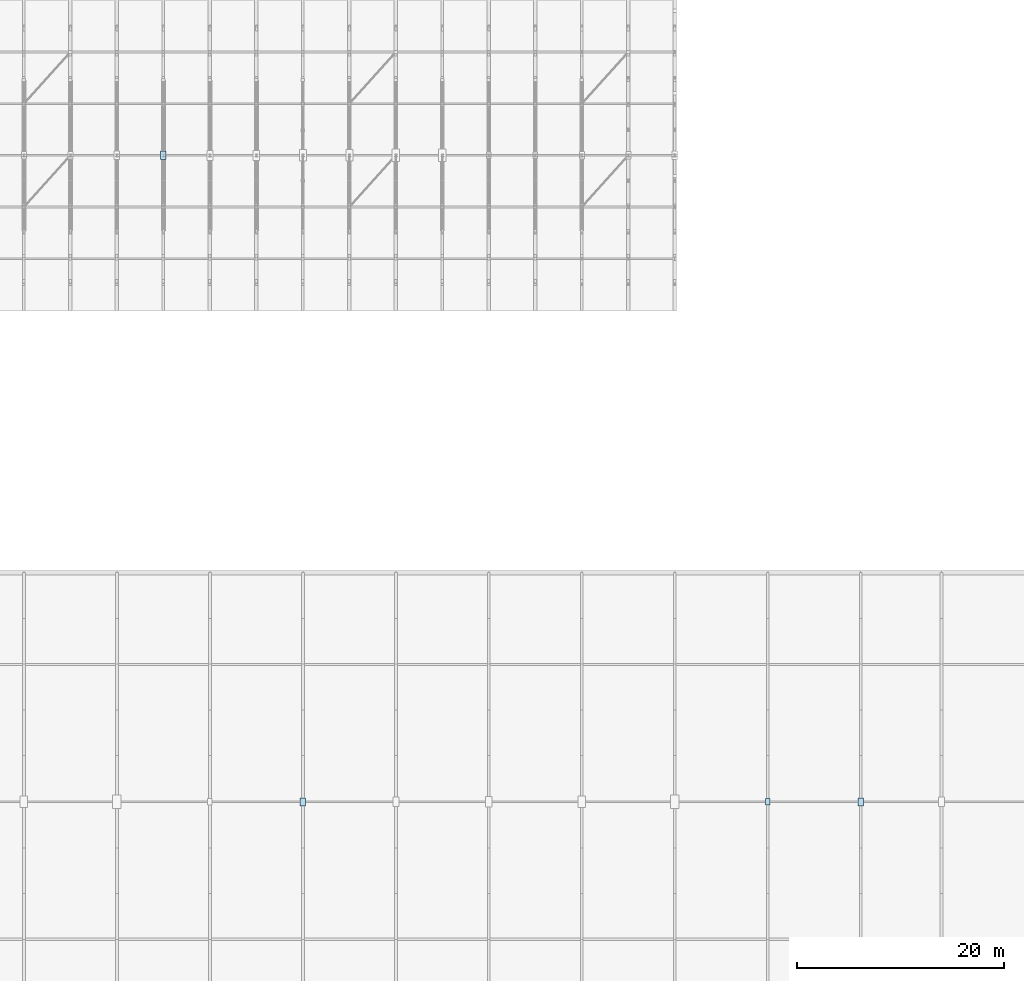
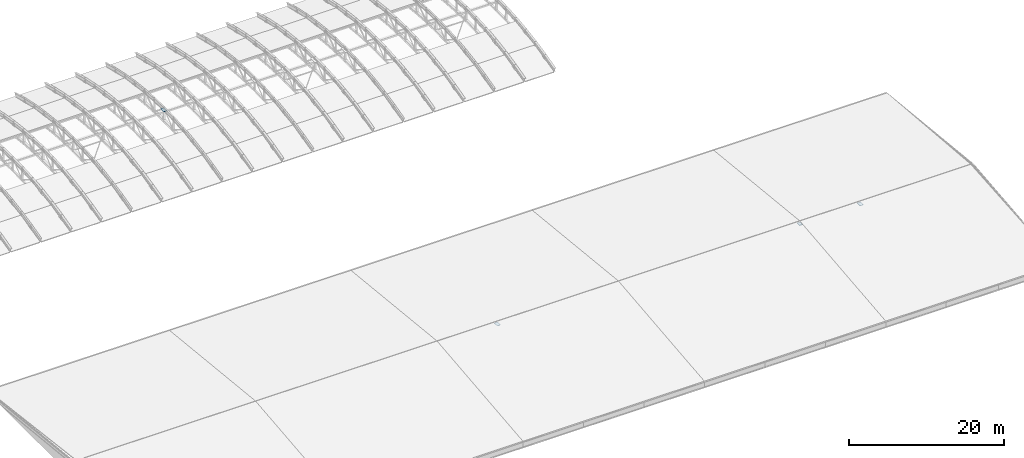
# One storey, part 38 of 53: 4 plates.
"""IFC4 building model written with IfcOpenShell, lengths in metres."""

import ifcopenshell
import ifcopenshell.guid

model = None  # the IFC model being written
_history = None  # IfcOwnerHistory: only IFC2X3 demands one
_inside = {}  # id of a spatial element -> (the spatial element, [elements in it])
_under = {}  # id of a project, library or spatial element -> (it, [spatial elements below it])
_declared = {}  # id of a project -> (the project, [libraries it declares])
_typed = {}  # id of a type object -> (the type object, [elements of that type])
_made_of = {}  # id of a material, layer set ... -> (it, [elements and type objects made of it])


def new_model(schema):
    """Start an empty IFC model of exactly this schema.

    Asked for "IFC4X3", IfcOpenShell would pick the latest addendum, in which some entities
    have other attributes; the version numbers below select the first issue.
    IFC2X3 requires an IfcOwnerHistory on every rooted entity: one is made here for all.
    """
    global model, _history
    if schema == "IFC4X3":
        model = ifcopenshell.file(schema_version=(4, 3, 0, 0))
    else:
        model = ifcopenshell.file(schema=schema)
    _inside.clear()
    _under.clear()
    _declared.clear()
    _typed.clear()
    _made_of.clear()
    _history = None
    if model.schema == "IFC2X3":
        org = make("IfcOrganization", Name="unknown")
        user = make(
            "IfcPersonAndOrganization",
            ThePerson=make("IfcPerson", FamilyName="unknown"),
            TheOrganization=org,
        )
        app = make(
            "IfcApplication",
            ApplicationDeveloper=org,
            Version="unknown",
            ApplicationFullName="unknown",
            ApplicationIdentifier="unknown",
        )
        _history = make(
            "IfcOwnerHistory",
            OwningUser=user,
            OwningApplication=app,
            ChangeAction="ADDED",
            CreationDate=0,
        )
    return model


def make(cls, **values):
    """One entity of the class cls with the attributes given. An attribute that is None is left unset."""
    return model.create_entity(
        cls, **{name: value for name, value in values.items() if value is not None}
    )


def rooted(cls, **values):
    """An entity with a GlobalId (a new one), such as an element, a storey or a relation."""
    return make(cls, GlobalId=ifcopenshell.guid.new(), OwnerHistory=_history, **values)


def si_unit(unit_type, name, prefix=None):
    """IfcSIUnit, for example si_unit("LENGTHUNIT", "METRE", prefix="MILLI")."""
    return make("IfcSIUnit", UnitType=unit_type, Prefix=prefix, Name=name)


def assignment(units):
    """IfcUnitAssignment: the units of a project."""
    return None if units is None else make("IfcUnitAssignment", Units=units)


def point(xyz):
    """IfcCartesianPoint."""
    return None if xyz is None else make("IfcCartesianPoint", Coordinates=xyz)


def direction(xyz):
    """IfcDirection."""
    return None if xyz is None else make("IfcDirection", DirectionRatios=xyz)


def frame(location, z_axis=None, x_axis=None):
    """IfcAxis2Placement3D, a coordinate frame: its origin and axes. An axis left out is left unset."""
    return make(
        "IfcAxis2Placement3D",
        Location=point(location),
        Axis=direction(z_axis),
        RefDirection=direction(x_axis),
    )


def frame_2d(location, x_axis=None):
    """IfcAxis2Placement2D, a coordinate frame in the plane: its origin and x axis."""
    return make(
        "IfcAxis2Placement2D", Location=point(location), RefDirection=direction(x_axis)
    )


def origin():
    """The frame at (0, 0, 0) with its axes left unset."""
    return frame((0.0, 0.0, 0.0))


def origin_2d():
    """The frame at (0, 0) in the plane with its x axis left unset."""
    return frame_2d((0.0, 0.0))


def place(relative_to, where):
    """IfcLocalPlacement: puts the frame where relative to a parent placement (None: the world)."""
    return make(
        "IfcLocalPlacement", PlacementRelTo=relative_to, RelativePlacement=where
    )


def context(
    kind, dimensions, precision=None, world=None, true_north=None, identifier=None
):
    """IfcGeometricRepresentationContext, for example the 3D "Model" context."""
    return make(
        "IfcGeometricRepresentationContext",
        ContextIdentifier=identifier,
        ContextType=kind,
        CoordinateSpaceDimension=dimensions,
        Precision=precision,
        WorldCoordinateSystem=world,
        TrueNorth=true_north,
    )


def subcontext(parent, identifier, kind, view, scale=None):
    """IfcGeometricRepresentationSubContext, for example "Body" below "Model"."""
    return make(
        "IfcGeometricRepresentationSubContext",
        ContextIdentifier=identifier,
        ContextType=kind,
        ParentContext=parent,
        TargetScale=scale,
        TargetView=view,
    )


def project(units=None, contexts=None):
    """IfcProject with its units and contexts."""
    return rooted(
        "IfcProject",
        Name="project",
        RepresentationContexts=contexts,
        UnitsInContext=assignment(units),
    )


def spatial(cls, under=None, at=None, **own):
    """A site, building, storey or space (cls), placed at a placement, below another one or the project."""
    s = rooted(cls, ObjectPlacement=at, **own)
    if under is not None:
        _under.setdefault(under.id(), (under, []))[1].append(s)
    return s


def profile(cls, at=None, kind="AREA", **sizes):
    """A parametric profile (cls). Its sizes go by their IFC names, for example OverallWidth=200.0."""
    return make(cls, ProfileType=kind, Position=at, **sizes)


def rectangle(**sizes):
    """IfcRectangleProfileDef."""
    return profile("IfcRectangleProfileDef", **sizes)


def extrude(swept, where, along, depth):
    """IfcExtrudedAreaSolid: the profile swept, set in the frame where, extruded along a direction by depth."""
    return make(
        "IfcExtrudedAreaSolid",
        SweptArea=swept,
        Position=where,
        ExtrudedDirection=direction(along),
        Depth=depth,
    )


def shape(context_of_items, identifier, shape_type, items):
    """IfcShapeRepresentation: the items that make up one representation, for example the "Body"."""
    return make(
        "IfcShapeRepresentation",
        ContextOfItems=context_of_items,
        RepresentationIdentifier=identifier,
        RepresentationType=shape_type,
        Items=items,
    )


def material(Name=None, Category=None):
    """IfcMaterial."""
    return make("IfcMaterial", Name=Name, Category=Category)


def layer(
    of_material, thickness, ventilated=None, Name=None, Category=None, Priority=None
):
    """IfcMaterialLayer: one layer of a wall or slab, of a material (None: an air gap)."""
    return make(
        "IfcMaterialLayer",
        Material=of_material,
        LayerThickness=thickness,
        IsVentilated=ventilated,
        Name=Name,
        Category=Category,
        Priority=Priority,
    )


def layer_set(layers, Name=None):
    """IfcMaterialLayerSet."""
    return make("IfcMaterialLayerSet", MaterialLayers=layers, LayerSetName=Name)


def made_of(thing, what):
    """Note that an element or type object is made of a material, layer set ...; save() writes the relation."""
    if what is not None:
        _made_of.setdefault(what.id(), (what, []))[1].append(thing)
    return thing


def type_object(cls, material=None, **own):
    """A type object (cls), such as IfcWallType, which elements share."""
    return made_of(rooted(cls, **own), material)


def element(
    cls,
    number,
    at=None,
    inside=None,
    cuts=None,
    type_object=None,
    material=None,
    context=None,
    identifier="Body",
    shape_type=None,
    held_by="IfcProductDefinitionShape",
    body=None,
    shapes=None,
    **own,
):
    """One element of the class cls, such as IfcWall. Its Tag is "e" and its number.

    at: its placement. inside: the storey or other place that contains it. cuts: it is an
    opening in that element (IfcRelVoidsElement). A single representation is given by context,
    identifier, shape_type and body (its items); several are given by shapes. held_by: the class
    of the entity that holds the representations. save() writes the other relations.
    """
    e = rooted(cls, Tag="e%d" % number, ObjectPlacement=at, **own)
    if body is not None:
        shapes = [shape(context, identifier, shape_type, body)]
    if shapes is not None:
        e.Representation = make(held_by, Representations=shapes)
    if inside is not None:
        _inside.setdefault(inside.id(), (inside, []))[1].append(e)
    if cuts is not None:
        rooted(
            "IfcRelVoidsElement", RelatingBuildingElement=cuts, RelatedOpeningElement=e
        )
    if type_object is not None:
        _typed.setdefault(type_object.id(), (type_object, []))[1].append(e)
    return made_of(e, material)


def aggregate(whole, parts):
    """IfcRelAggregates: a whole, such as a stair, and the parts it consists of."""
    return rooted("IfcRelAggregates", RelatingObject=whole, RelatedObjects=parts)


def save(model, path):
    """Write the relations noted so far, then the file.

    IfcRelAggregates (storeys below a building ...), IfcRelContainedInSpatialStructure (elements
    in a storey), IfcRelDefinesByType, IfcRelAssociatesMaterial and IfcRelDeclares: one each for
    every whole, place, type object, material and project.
    """
    for whole, parts in _under.values():
        aggregate(whole, parts)
    for where, things in _inside.values():
        rooted(
            "IfcRelContainedInSpatialStructure",
            RelatedElements=things,
            RelatingStructure=where,
        )
    for kind, things in _typed.values():
        rooted("IfcRelDefinesByType", RelatedObjects=things, RelatingType=kind)
    for what, things in _made_of.values():
        rooted("IfcRelAssociatesMaterial", RelatedObjects=things, RelatingMaterial=what)
    for by, libraries in _declared.values():
        rooted("IfcRelDeclares", RelatingContext=by, RelatedDefinitions=libraries)
    model.write(path)


model = new_model("IFC4")

# Units and contexts
model_context = context("Model", 3, precision=1e-05, world=origin(), true_north=direction((0.0, 1.0)))
body_context = subcontext(model_context, "Body", "Model", "MODEL_VIEW")
ifc_project = project(units=[si_unit("LENGTHUNIT", "METRE"), si_unit("AREAUNIT", "SQUARE_METRE"), si_unit("VOLUMEUNIT", "CUBIC_METRE"), si_unit("PLANEANGLEUNIT", "RADIAN"), si_unit("MASSUNIT", "GRAM", prefix="KILO")], contexts=[model_context])

# Site, building, storey
site_placement = place(None, origin())
site = spatial("IfcSite", under=ifc_project, at=site_placement, CompositionType="ELEMENT")
building_placement = place(site_placement, origin())
building = spatial("IfcBuilding", under=site, at=building_placement, Name="Cazmaro Siding Exhibition Halls", CompositionType="ELEMENT")
storey_placement = place(building_placement, frame((0.0, 0.0, 21.0)))
storey = spatial("IfcBuildingStorey", under=building, at=storey_placement, Name="L04", CompositionType="ELEMENT", Elevation=21.0)

# Plates
ifc_material_1 = material(Name="Steel ASTM A572 Grade 50", Category="steel")
ifc_layer_1 = layer(ifc_material_1, 0.030029296875)
ifc_layer_set_1 = layer_set([ifc_layer_1], Name="Steel ASTM A572 Grade 50")
plate_type_1 = type_object("IfcPlateType", Name="GP-03", PredefinedType="USERDEFINED", material=ifc_layer_set_1)
plate_1_placement = place(storey_placement, frame((121.5, 94.0, 2.3349609375), z_axis=(0.0, 0.0, 1.0), x_axis=(0.0, 1.0, 0.0)))
element("IfcPlate", 1, at=plate_1_placement, inside=storey, type_object=plate_type_1, Name="Space frame vault crown gusset plate GP-03 node TN-02", ObjectType="GUSSET PLATE", PredefinedType="USERDEFINED", context=body_context, shape_type="SweptSolid", body=[
    extrude(rectangle(XDim=0.840087890625, YDim=0.5400390625, at=origin_2d()), origin(), (0.0, 0.0, 1.0), 0.030029296875),
])
ifc_material_2 = material(Name="Steel ASTM A572 Grade 50", Category="steel")
ifc_layer_2 = layer(ifc_material_2, 0.068115234375)
ifc_layer_set_2 = layer_set([ifc_layer_2], Name="Steel ASTM A572 Grade 50")
plate_type_2 = type_object("IfcPlateType", Name="GP-07", PredefinedType="USERDEFINED", material=ifc_layer_set_2)
plate_2_placement = place(storey_placement, frame((180.0, 31.425048828125, 1.81591796875), z_axis=(0.0, 0.0, 1.0), x_axis=(0.0, 1.0, 0.0)))
element("IfcPlate", 2, at=plate_2_placement, inside=storey, type_object=plate_type_2, Name="Warren truss ridge gusset plate GP-07 node TN-03", ObjectType="GUSSET PLATE", PredefinedType="USERDEFINED", context=body_context, shape_type="SweptSolid", body=[
    extrude(rectangle(XDim=0.64990234375, YDim=0.449951171875, at=origin_2d()), origin(), (0.0, 0.0, 1.0), 0.068115234375),
])
ifc_material_3 = material(Name="Steel ASTM A572 Grade 50", Category="steel")
ifc_layer_3 = layer(ifc_material_3, 0.02197265625)
ifc_layer_set_3 = layer_set([ifc_layer_3], Name="Steel ASTM A572 Grade 50")
plate_type_3 = type_object("IfcPlateType", Name="GP-08", PredefinedType="USERDEFINED", material=ifc_layer_set_3)
for number, where, z_axis, x_axis, name in (
    (3, (135.0, 31.425048828125, 1.839111328125), (0.0, 0.0, 1.0), (0.0, 1.0, 0.0), "Warren truss ridge gusset plate GP-08 node TN-03"),
    (4, (189.0, 31.425048828125, 1.839111328125), (0.0, 0.0, 1.0), (0.0, 1.0, 0.0), "Warren truss ridge gusset plate GP-08 node TN-03"),
):
    element("IfcPlate", number, at=place(storey_placement, frame(where, z_axis=z_axis, x_axis=x_axis)), inside=storey, type_object=plate_type_3, Name=name, ObjectType="GUSSET PLATE", PredefinedType="USERDEFINED", context=body_context, shape_type="SweptSolid", body=[
        extrude(rectangle(XDim=0.780029296875, YDim=0.52001953125, at=origin_2d()), origin(), (0.0, 0.0, 1.0), 0.02197265625),
    ])

save(model, "model.ifc")
